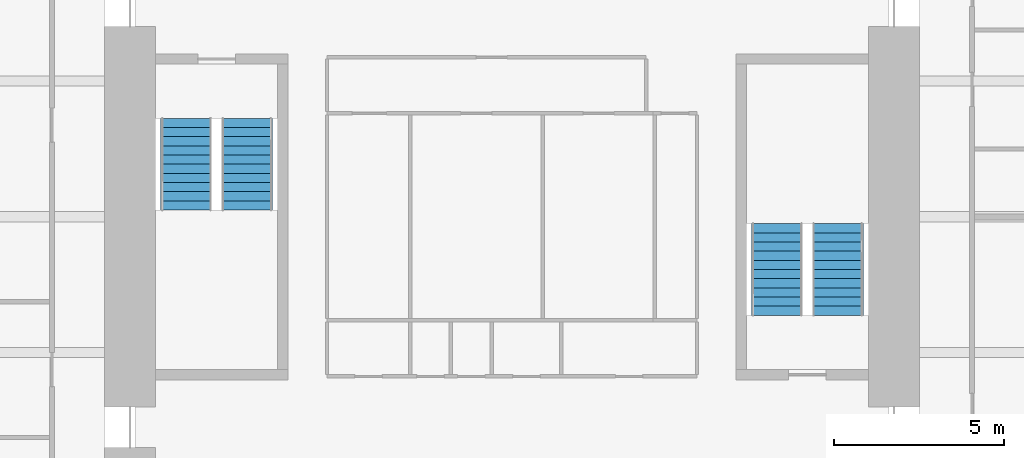
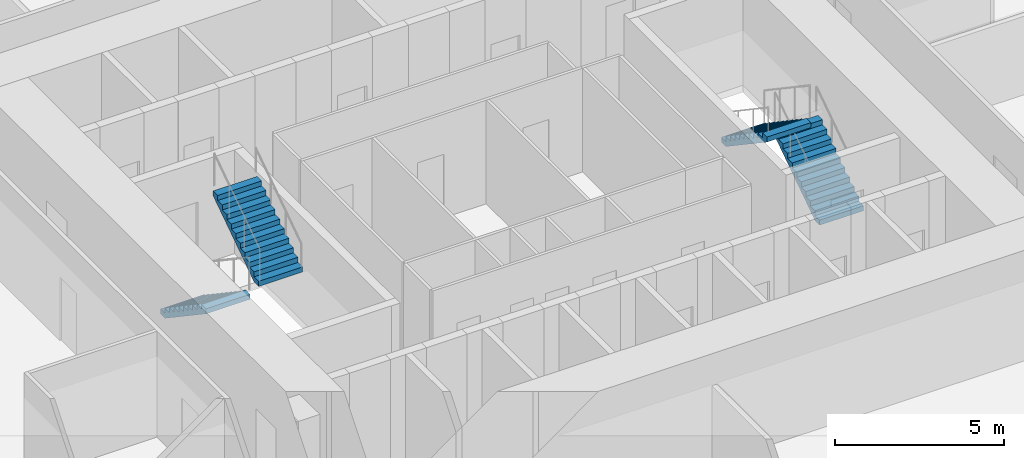
# One storey, part 17 of 18: 4 stair flights, 2 elements without a shape of their own.
"""IFC4 building model written with IfcOpenShell, lengths in metres."""

from ifc_helpers import new_model, si_unit, direction, frame, origin, place, context, subcontext, project, spatial, polyline, outline, extrude, material, type_object, element, aggregate, save


model = new_model("IFC4")

# Units and contexts
model_context = context("Model", 3, precision=1e-05, world=origin(), true_north=direction((0.0, 1.0)))
body_context = subcontext(model_context, "Body", "Model", "MODEL_VIEW")
ifc_project = project(units=[si_unit("LENGTHUNIT", "METRE"), si_unit("AREAUNIT", "SQUARE_METRE"), si_unit("VOLUMEUNIT", "CUBIC_METRE"), si_unit("PLANEANGLEUNIT", "RADIAN"), si_unit("MASSUNIT", "GRAM", prefix="KILO")], contexts=[model_context])

# Site, building, storey
site_placement = place(None, origin())
site = spatial("IfcSite", under=ifc_project, at=site_placement, CompositionType="ELEMENT")
building_placement = place(site_placement, origin())
building = spatial("IfcBuilding", under=site, at=building_placement, Name="Peilmerk Tower", CompositionType="ELEMENT")
storey_placement = place(building_placement, frame((0.0, 0.0, 159.800048828125)))
storey = spatial("IfcBuildingStorey", under=building, at=storey_placement, Name="L33", CompositionType="ELEMENT", Elevation=159.800048828125)

# Stair, stair flights
ifc_material = material(Name="Precast concrete C45/55", Category="concrete")
stair_type_1 = type_object("IfcStairType", Name="ST1 22 risers of 181.8", PredefinedType="HALF_TURN_STAIR", material=ifc_material)
stair_1_placement = place(storey_placement, origin())
stair_1 = element("IfcStair", 1, at=stair_1_placement, inside=storey, type_object=stair_type_1, Name="Stair 1 L33 to L34", PredefinedType="HALF_TURN_STAIR")
stair_flight_type = type_object("IfcStairFlightType", Name="SF11 flight, 11 risers of 181.8", PredefinedType="STRAIGHT", material=ifc_material)
stair_flight_1_placement = place(storey_placement, frame((-9.60009765625, 2.89990234375, 0.0), z_axis=(0.0, 0.0, 1.0), x_axis=(0.0, -1.0, 0.0)))
stair_flight_1 = element("IfcStairFlight", 2, at=stair_flight_1_placement, type_object=stair_flight_type, Name="ST1 flight 1", NumberOfRisers=11, NumberOfTreads=10, PredefinedType="STRAIGHT", RiserHeight=0.181818182, TreadLength=0.27, context=body_context, shape_type="SweptSolid", body=[
    extrude(outline(polyline([(0.0, 0.0), (0.0, 0.181884765625), (0.27001953125, 0.181884765625), (0.27001953125, 0.363525390625), (0.5400390625, 0.363525390625), (0.5400390625, 0.54541015625), (0.81005859375, 0.54541015625), (0.81005859375, 0.727294921875), (1.080078125, 0.727294921875), (1.080078125, 0.9091796875), (1.35009765625, 0.9091796875), (1.35009765625, 1.0908203125), (1.6201171875, 1.0908203125), (1.6201171875, 1.272705078125), (1.889892578125, 1.272705078125), (1.889892578125, 1.45458984375), (2.159912109375, 1.45458984375), (2.159912109375, 1.636474609375), (2.429931640625, 1.636474609375), (2.429931640625, 1.818115234375), (2.699951171875, 1.818115234375), (2.699951171875, 2.0), (2.699951171875, 1.637451171875), (0.268310546875, 0.0), (0.0, 0.0)])), frame((0.0, 0.75, 0.0), z_axis=(0.0, -1.0, 0.0), x_axis=(1.0, 0.0, 0.0)), (0.0, 0.0, 1.0), 1.5),
])
stair_flight_2_placement = place(storey_placement, frame((-7.800048828125, 0.199951171875, 2.0), z_axis=(0.0, 0.0, 1.0), x_axis=(0.0, 1.0, 0.0)))
stair_flight_2 = element("IfcStairFlight", 3, at=stair_flight_2_placement, type_object=stair_flight_type, Name="ST1 flight 2", NumberOfRisers=11, NumberOfTreads=10, PredefinedType="STRAIGHT", RiserHeight=0.181818182, TreadLength=0.27, context=body_context, shape_type="SweptSolid", body=[
    extrude(outline(polyline([(0.0, 0.0), (0.0, 0.181884765625), (0.27001953125, 0.181884765625), (0.27001953125, 0.363525390625), (0.5400390625, 0.363525390625), (0.5400390625, 0.54541015625), (0.81005859375, 0.54541015625), (0.81005859375, 0.727294921875), (1.080078125, 0.727294921875), (1.080078125, 0.9091796875), (1.35009765625, 0.9091796875), (1.35009765625, 1.0908203125), (1.6201171875, 1.0908203125), (1.6201171875, 1.272705078125), (1.889892578125, 1.272705078125), (1.889892578125, 1.45458984375), (2.159912109375, 1.45458984375), (2.159912109375, 1.636474609375), (2.429931640625, 1.636474609375), (2.429931640625, 1.818115234375), (2.699951171875, 1.818115234375), (2.699951171875, 2.0), (2.699951171875, 1.637451171875), (0.268310546875, 0.0), (0.0, 0.0)])), frame((0.0, 0.75, 0.0), z_axis=(0.0, -1.0, 0.0), x_axis=(1.0, 0.0, 0.0)), (0.0, 0.0, 1.0), 1.5),
])
aggregate(stair_1, [stair_flight_1, stair_flight_2])

stair_type_2 = type_object("IfcStairType", Name="ST2 22 risers of 181.8", PredefinedType="HALF_TURN_STAIR", material=ifc_material)
stair_2_placement = place(storey_placement, origin())
stair_2 = element("IfcStair", 4, at=stair_2_placement, inside=storey, type_object=stair_type_2, Name="Stair 2 L33 to L34", PredefinedType="HALF_TURN_STAIR")
stair_flight_3_placement = place(storey_placement, frame((9.60009765625, -2.89990234375, 0.0), z_axis=(0.0, 0.0, 1.0), x_axis=(0.0, 1.0, 0.0)))
stair_flight_3 = element("IfcStairFlight", 5, at=stair_flight_3_placement, type_object=stair_flight_type, Name="ST2 flight 1", NumberOfRisers=11, NumberOfTreads=10, PredefinedType="STRAIGHT", RiserHeight=0.181818182, TreadLength=0.27, context=body_context, shape_type="SweptSolid", body=[
    extrude(outline(polyline([(0.0, 0.0), (0.0, 0.181884765625), (0.27001953125, 0.181884765625), (0.27001953125, 0.363525390625), (0.5400390625, 0.363525390625), (0.5400390625, 0.54541015625), (0.81005859375, 0.54541015625), (0.81005859375, 0.727294921875), (1.080078125, 0.727294921875), (1.080078125, 0.9091796875), (1.35009765625, 0.9091796875), (1.35009765625, 1.0908203125), (1.6201171875, 1.0908203125), (1.6201171875, 1.272705078125), (1.889892578125, 1.272705078125), (1.889892578125, 1.45458984375), (2.159912109375, 1.45458984375), (2.159912109375, 1.636474609375), (2.429931640625, 1.636474609375), (2.429931640625, 1.818115234375), (2.699951171875, 1.818115234375), (2.699951171875, 2.0), (2.699951171875, 1.637451171875), (0.268310546875, 0.0), (0.0, 0.0)])), frame((0.0, 0.75, 0.0), z_axis=(0.0, -1.0, 0.0), x_axis=(1.0, 0.0, 0.0)), (0.0, 0.0, 1.0), 1.5),
])
stair_flight_4_placement = place(storey_placement, frame((7.800048828125, -0.199951171875, 2.0), z_axis=(0.0, 0.0, 1.0), x_axis=(0.0, -1.0, 0.0)))
stair_flight_4 = element("IfcStairFlight", 6, at=stair_flight_4_placement, type_object=stair_flight_type, Name="ST2 flight 2", NumberOfRisers=11, NumberOfTreads=10, PredefinedType="STRAIGHT", RiserHeight=0.181818182, TreadLength=0.27, context=body_context, shape_type="SweptSolid", body=[
    extrude(outline(polyline([(0.0, 0.0), (0.0, 0.181884765625), (0.27001953125, 0.181884765625), (0.27001953125, 0.363525390625), (0.5400390625, 0.363525390625), (0.5400390625, 0.54541015625), (0.81005859375, 0.54541015625), (0.81005859375, 0.727294921875), (1.080078125, 0.727294921875), (1.080078125, 0.9091796875), (1.35009765625, 0.9091796875), (1.35009765625, 1.0908203125), (1.6201171875, 1.0908203125), (1.6201171875, 1.272705078125), (1.889892578125, 1.272705078125), (1.889892578125, 1.45458984375), (2.159912109375, 1.45458984375), (2.159912109375, 1.636474609375), (2.429931640625, 1.636474609375), (2.429931640625, 1.818115234375), (2.699951171875, 1.818115234375), (2.699951171875, 2.0), (2.699951171875, 1.637451171875), (0.268310546875, 0.0), (0.0, 0.0)])), frame((0.0, 0.75, 0.0), z_axis=(0.0, -1.0, 0.0), x_axis=(1.0, 0.0, 0.0)), (0.0, 0.0, 1.0), 1.5),
])
aggregate(stair_2, [stair_flight_3, stair_flight_4])

save(model, "model.ifc")
